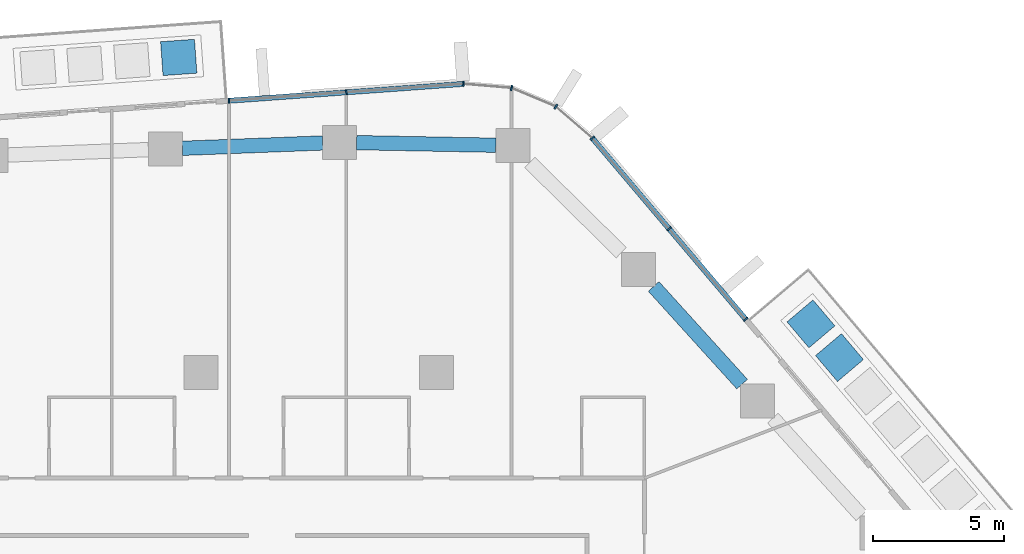
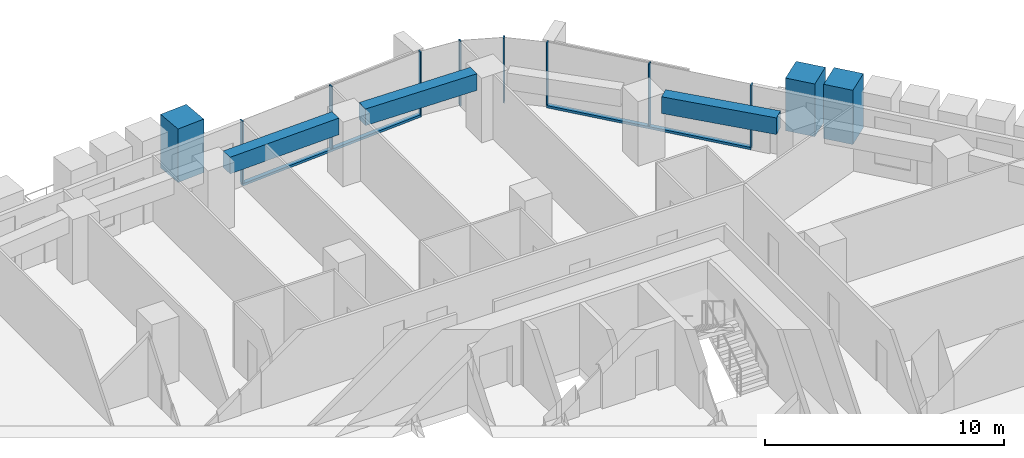
# One storey, part 9 of 24: 13 members, 3 beams, 3 elements without a shape of their own.
"""IFC4 building model written with IfcOpenShell, lengths in metres."""

from ifc_helpers import new_model, si_unit, direction, frame, origin, origin_2d, place, context, subcontext, project, spatial, rectangle, extrude, material, layer, layer_set, material_profile, profile_set, type_object, element, aggregate, save


model = new_model("IFC4")

# Units and contexts
model_context = context("Model", 3, precision=1e-05, world=origin(), true_north=direction((0.0, 1.0)))
body_context = subcontext(model_context, "Body", "Model", "MODEL_VIEW")
ifc_project = project(units=[si_unit("LENGTHUNIT", "METRE"), si_unit("AREAUNIT", "SQUARE_METRE"), si_unit("VOLUMEUNIT", "CUBIC_METRE"), si_unit("PLANEANGLEUNIT", "RADIAN"), si_unit("MASSUNIT", "GRAM", prefix="KILO")], contexts=[model_context])

# Site, building, storey
site_placement = place(None, origin())
site = spatial("IfcSite", under=ifc_project, at=site_placement, CompositionType="ELEMENT")
building_placement = place(site_placement, origin())
building = spatial("IfcBuilding", under=site, at=building_placement, Name="Dongbaek Canopy Tower", CompositionType="ELEMENT")
storey_placement = place(building_placement, frame((0.0, 0.0, 110.0)))
storey = spatial("IfcBuildingStorey", under=building, at=storey_placement, Name="L23", CompositionType="ELEMENT", Elevation=110.0)

# Curtain wall, members
ifc_material_1 = material(Name="Aluminium 6063-T6 pale anodised", Category="aluminium")
ifc_layer = layer(ifc_material_1, 0.199951171875)
ifc_layer_set = layer_set([ifc_layer], Name="CW-1 unitised tower curtain wall")
curtain_wall_type = type_object("IfcCurtainWallType", Name="CW-1 unitised tower curtain wall", PredefinedType="NOTDEFINED", material=ifc_layer_set)
curtain_wall_1_placement = place(storey_placement, origin())
curtain_wall_1 = element("IfcCurtainWall", 1, at=curtain_wall_1_placement, inside=storey, type_object=curtain_wall_type, Name="CW-1 curtain wall F0.1", PredefinedType="NOTDEFINED")
ifc_material_2 = material(Name="Aluminium 6063-T6 pale anodised", Category="aluminium")
ifc_material_profile_1 = material_profile(ifc_material_2, rectangle(XDim=0.199951171875, YDim=0.06005859375, at=origin_2d()), Name="CW-1 mullion 60 x 200")
ifc_profile_set_1 = profile_set([ifc_material_profile_1], Name="Aluminium 6063-T6 pale anodised")
member_type_1 = type_object("IfcMemberType", Name="CW-1 mullion 60 x 200", PredefinedType="MULLION", material=ifc_profile_set_1)
member_1_placement = place(storey_placement, frame((20.830078125, 20.028076171875, 0.1201171875), z_axis=(0.0, 0.0, 1.0), x_axis=(0.763289924972, 0.646056104712, 0.0)))
member_1 = element("IfcMember", 2, at=member_1_placement, type_object=member_type_1, Name="CW-1 mullion F0.1.1", PredefinedType="MULLION", context=body_context, shape_type="SweptSolid", body=[
    extrude(rectangle(XDim=0.199951171875, YDim=0.06005859375, at=origin_2d()), origin(), (0.0, 0.0, 1.0), 3.179931640625),
])
member_2_placement = place(storey_placement, frame((17.89599609375, 23.49462890625, 0.1201171875), z_axis=(0.0, 0.0, 1.0), x_axis=(0.763289924972, 0.646056104712, 0.0)))
member_2 = element("IfcMember", 3, at=member_2_placement, type_object=member_type_1, Name="CW-1 mullion F0.1.2", PredefinedType="MULLION", context=body_context, shape_type="SweptSolid", body=[
    extrude(rectangle(XDim=0.199951171875, YDim=0.06005859375, at=origin_2d()), origin(), (0.0, 0.0, 1.0), 3.179931640625),
])
member_3_placement = place(storey_placement, frame((14.966796875, 26.955078125, 0.1201171875), z_axis=(0.0, 0.0, 1.0), x_axis=(0.763289924972, 0.646056104712, 0.0)))
member_3 = element("IfcMember", 4, at=member_3_placement, type_object=member_type_1, Name="CW-1 mullion F0.1.3", PredefinedType="MULLION", context=body_context, shape_type="SweptSolid", body=[
    extrude(rectangle(XDim=0.199951171875, YDim=0.06005859375, at=origin_2d()), origin(), (0.0, 0.0, 1.0), 3.179931640625),
])

curtain_wall_2_placement = place(storey_placement, origin())
curtain_wall_2 = element("IfcCurtainWall", 5, at=curtain_wall_2_placement, inside=storey, type_object=curtain_wall_type, Name="CW-1 curtain wall K1.1", PredefinedType="NOTDEFINED")
member_4_placement = place(storey_placement, frame((13.566650390625, 28.162841796875, 0.0), z_axis=(0.0, 0.0, 1.0), x_axis=(0.526936494686, 0.849904659693, 0.0)))
member_4 = element("IfcMember", 6, at=member_4_placement, type_object=member_type_1, Name="CW-1 mullion K1.1.2", PredefinedType="MULLION", context=body_context, shape_type="SweptSolid", body=[
    extrude(rectangle(XDim=0.199951171875, YDim=0.06005859375, at=origin_2d()), origin(), (0.0, 0.0, 1.0), 3.300048828125),
])
member_5_placement = place(storey_placement, frame((11.86962890625, 28.876953125, 0.0), z_axis=(0.0, 0.0, 1.0), x_axis=(0.239250398447, 0.970957901684, 0.0)))
member_5 = element("IfcMember", 7, at=member_5_placement, type_object=member_type_1, Name="CW-1 mullion K1.1.3", PredefinedType="MULLION", context=body_context, shape_type="SweptSolid", body=[
    extrude(rectangle(XDim=0.199951171875, YDim=0.06005859375, at=origin_2d()), origin(), (0.0, 0.0, 1.0), 3.300048828125),
])
member_6_placement = place(storey_placement, frame((10.02734375, 29.03369140625, 0.0), z_axis=(0.0, 0.0, 1.0), x_axis=(0.084792698641, 0.996398614139, 0.0)))
member_6 = element("IfcMember", 8, at=member_6_placement, type_object=member_type_1, Name="CW-1 mullion K1.1.4", PredefinedType="MULLION", context=body_context, shape_type="SweptSolid", body=[
    extrude(rectangle(XDim=0.199951171875, YDim=0.06005859375, at=origin_2d()), origin(), (0.0, 0.0, 1.0), 3.300048828125),
])
aggregate(curtain_wall_2, [member_4, member_5, member_6])

curtain_wall_3_placement = place(storey_placement, origin())
curtain_wall_3 = element("IfcCurtainWall", 9, at=curtain_wall_3_placement, inside=storey, type_object=curtain_wall_type, Name="CW-1 curtain wall F1.1", PredefinedType="NOTDEFINED")
member_7_placement = place(storey_placement, frame((5.549072265625, 28.71142578125, 0.1201171875), z_axis=(0.0, 0.0, 1.0), x_axis=(-0.071742796309, 0.997423165551, 0.0)))
member_7 = element("IfcMember", 10, at=member_7_placement, type_object=member_type_1, Name="CW-1 mullion F1.1.2", PredefinedType="MULLION", context=body_context, shape_type="SweptSolid", body=[
    extrude(rectangle(XDim=0.199951171875, YDim=0.06005859375, at=origin_2d()), origin(), (0.0, 0.0, 1.0), 3.179931640625),
])
member_8_placement = place(storey_placement, frame((1.06298828125, 28.388916015625, 0.1201171875), z_axis=(0.0, 0.0, 1.0), x_axis=(-0.071742796309, 0.997423165551, 0.0)))
member_8 = element("IfcMember", 11, at=member_8_placement, type_object=member_type_1, Name="CW-1 mullion F1.1.3", PredefinedType="MULLION", context=body_context, shape_type="SweptSolid", body=[
    extrude(rectangle(XDim=0.199951171875, YDim=0.06005859375, at=origin_2d()), origin(), (0.0, 0.0, 1.0), 3.179931640625),
])

# Member
ifc_material_3 = material(Name="Aluminium 6063-T6 pale anodised", Category="aluminium")
ifc_material_profile_2 = material_profile(ifc_material_3, rectangle(XDim=0.199951171875, YDim=0.1201171875, at=origin_2d()), Name="CW-1 transom 120 x 200")
ifc_profile_set_2 = profile_set([ifc_material_profile_2], Name="Aluminium 6063-T6 pale anodised")
member_type_2 = type_object("IfcMemberType", Name="CW-1 transom 120 x 200", PredefinedType="USERDEFINED", material=ifc_profile_set_2)
member_9_placement = place(storey_placement, frame((20.830078125, 20.028076171875, 0.06005859375), z_axis=(-0.646068855634, 0.763279132283, 0.0), x_axis=(-0.763279132283, -0.646068855634, 0.0)))
member_9 = element("IfcMember", 12, at=member_9_placement, type_object=member_type_2, Name="CW-1 transom F0.1.1", ObjectType="TRANSOM", PredefinedType="USERDEFINED", context=body_context, shape_type="SweptSolid", body=[
    extrude(rectangle(XDim=0.199951171875, YDim=0.1201171875, at=origin_2d()), origin(), (0.0, 0.0, 1.0), 9.075439453125),
])

aggregate(curtain_wall_1, [member_1, member_2, member_3, member_9])

member_10_placement = place(storey_placement, frame((10.02734375, 29.03369140625, 0.06005859375), z_axis=(-0.997423277442, -0.071741240692, 0.0), x_axis=(0.071741240692, -0.997423277442, 0.0)))
member_10 = element("IfcMember", 13, at=member_10_placement, type_object=member_type_2, Name="CW-1 transom F1.1.1", ObjectType="TRANSOM", PredefinedType="USERDEFINED", context=body_context, shape_type="SweptSolid", body=[
    extrude(rectangle(XDim=0.199951171875, YDim=0.1201171875, at=origin_2d()), origin(), (0.0, 0.0, 1.0), 8.987548828125),
])

aggregate(curtain_wall_3, [member_7, member_8, member_10])

# Beams
ifc_material_4 = material(Name="Concrete C80", Category="concrete")
ifc_material_profile_3 = material_profile(ifc_material_4, rectangle(XDim=0.550048828125, YDim=0.85009765625, at=origin_2d()), Name="RC EDGE BEAM 550x850 C80")
ifc_profile_set_3 = profile_set([ifc_material_profile_3], Name="Concrete C80")
beam_type = type_object("IfcBeamType", Name="RC EDGE BEAM 550x850 C80", PredefinedType="BEAM", material=ifc_profile_set_3)
beam_1_placement = place(storey_placement, frame((-0.721923828125, 26.56884765625, 2.875), z_axis=(0.999275939063, 0.03804730751, 0.0), x_axis=(-0.03804730751, 0.999275939063, 0.0)))
element("IfcBeam", 14, at=beam_1_placement, inside=storey, type_object=beam_type, Name="EDGEBEAM:L23:15", PredefinedType="BEAM", context=body_context, shape_type="SweptSolid", body=[
    extrude(rectangle(XDim=0.550048828125, YDim=0.85009765625, at=origin_2d()), origin(), (0.0, 0.0, 1.0), 5.370849609375),
])
beam_2_placement = place(storey_placement, frame((5.945068359375, 26.785888671875, 2.875), z_axis=(0.999824893163, -0.018713177504, 0.0), x_axis=(0.018713177504, 0.999824893163, 0.0)))
element("IfcBeam", 15, at=beam_2_placement, inside=storey, type_object=beam_type, Name="EDGEBEAM:L23:16", PredefinedType="BEAM", context=body_context, shape_type="SweptSolid", body=[
    extrude(rectangle(XDim=0.550048828125, YDim=0.85009765625, at=origin_2d()), origin(), (0.0, 0.0, 1.0), 5.322998046875),
])
beam_3_placement = place(storey_placement, frame((17.306640625, 21.284912109375, 2.875), z_axis=(0.671331632341, -0.741157094966, 0.0), x_axis=(0.741157094966, 0.671331632341, 0.0)))
element("IfcBeam", 16, at=beam_3_placement, inside=storey, type_object=beam_type, Name="EDGEBEAM:L23:18", PredefinedType="BEAM", context=body_context, shape_type="SweptSolid", body=[
    extrude(rectangle(XDim=0.550048828125, YDim=0.85009765625, at=origin_2d()), origin(), (0.0, 0.0, 1.0), 5.041748046875),
])

# Members
ifc_material_5 = material(Name="Concrete C40/50 planter mass with planting", Category="concrete")
ifc_material_profile_4 = material_profile(ifc_material_5, rectangle(XDim=1.300048828125, YDim=1.300048828125, at=origin_2d()), Name="Terrace PLANTER shrub mass 1300 x 1300")
ifc_profile_set_4 = profile_set([ifc_material_profile_4], Name="Concrete C40/50 planter mass with planting")
member_type_3 = type_object("IfcMemberType", Name="Terrace PLANTER shrub mass 1300 x 1300", PredefinedType="USERDEFINED", material=ifc_profile_set_4)
member_11_placement = place(storey_placement, frame((24.414794921875, 18.5634765625, 0.419921875), z_axis=(0.0, 0.0, 1.0), x_axis=(0.763289924972, 0.646056104712, 0.0)))
element("IfcMember", 17, at=member_11_placement, inside=storey, type_object=member_type_3, Name="Planter shrubs L23 1.6", ObjectType="PLANTER", PredefinedType="USERDEFINED", context=body_context, shape_type="SweptSolid", body=[
    extrude(rectangle(XDim=1.300048828125, YDim=1.300048828125, at=origin_2d()), origin(), (0.0, 0.0, 1.0), 2.77001953125),
])
member_12_placement = place(storey_placement, frame((23.323486328125, 19.85302734375, 0.419921875), z_axis=(0.0, 0.0, 1.0), x_axis=(0.763289924972, 0.646056104712, 0.0)))
element("IfcMember", 18, at=member_12_placement, inside=storey, type_object=member_type_3, Name="Planter shrubs L23 1.7", ObjectType="PLANTER", PredefinedType="USERDEFINED", context=body_context, shape_type="SweptSolid", body=[
    extrude(rectangle(XDim=1.300048828125, YDim=1.300048828125, at=origin_2d()), origin(), (0.0, 0.0, 1.0), 2.690185546875),
])
member_13_placement = place(storey_placement, frame((-0.8603515625, 30.045166015625, 0.419921875), z_axis=(0.0, 0.0, 1.0), x_axis=(-0.071742796309, 0.997423165551, 0.0)))
element("IfcMember", 19, at=member_13_placement, inside=storey, type_object=member_type_3, Name="Planter shrubs L23 2.1", ObjectType="PLANTER", PredefinedType="USERDEFINED", context=body_context, shape_type="SweptSolid", body=[
    extrude(rectangle(XDim=1.300048828125, YDim=1.300048828125, at=origin_2d()), origin(), (0.0, 0.0, 1.0), 2.72998046875),
])

save(model, "model.ifc")
